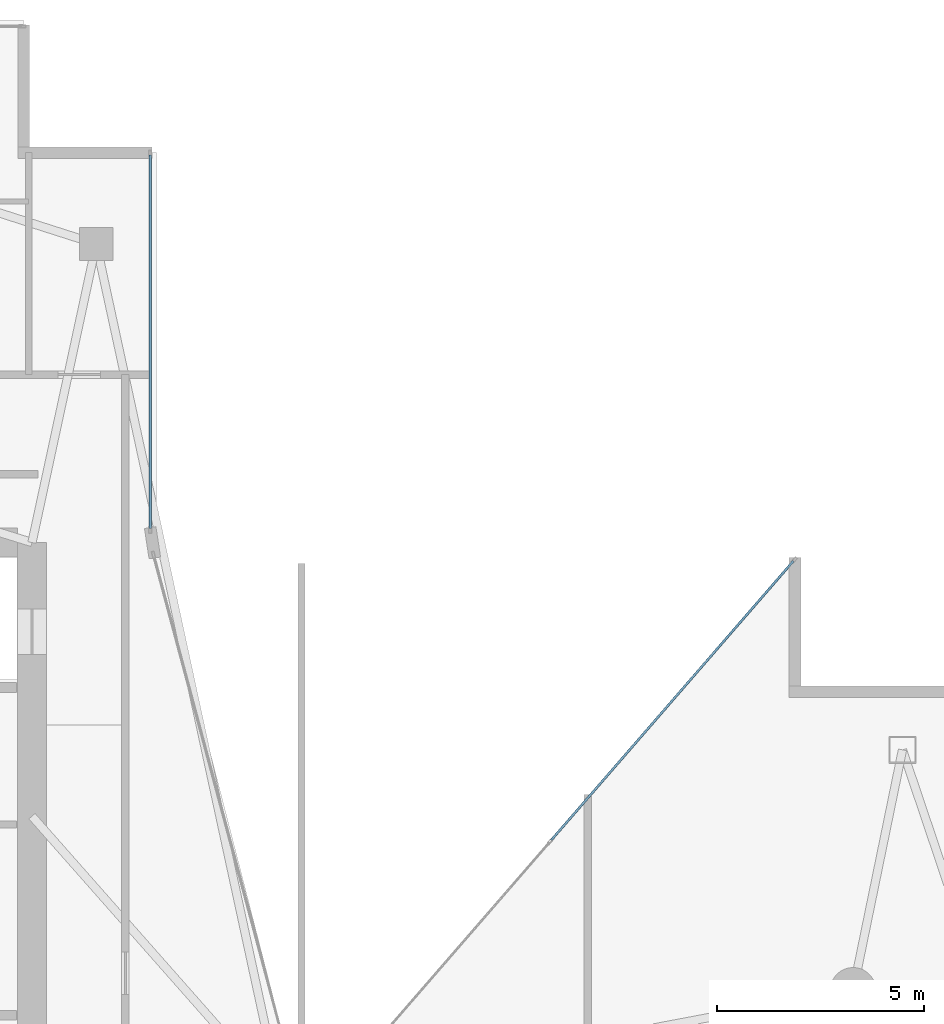
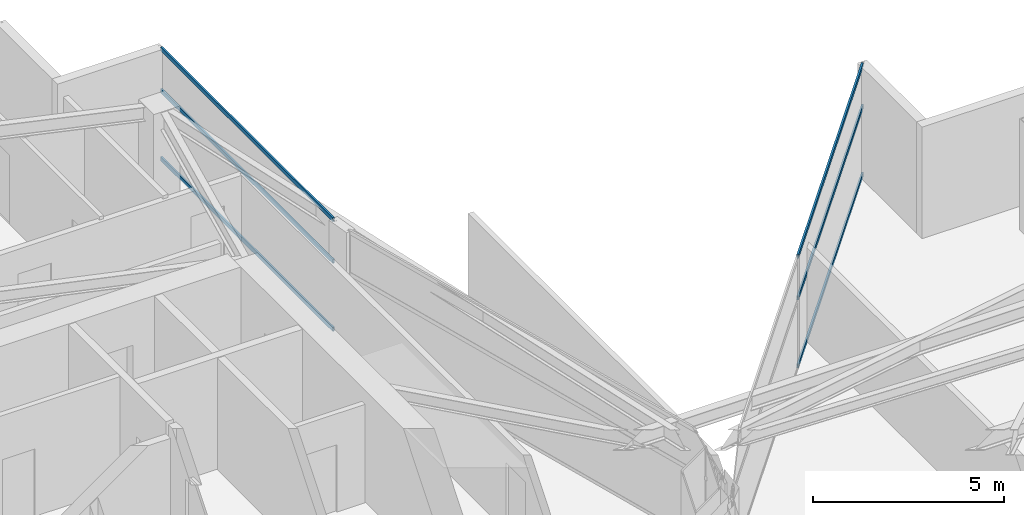
# One storey, part 20 of 29: 6 members, 2 elements without a shape of their own.
"""IFC4 building model written with IfcOpenShell, lengths in metres."""

from ifc_helpers import new_model, si_unit, direction, frame, origin, origin_2d, place, context, subcontext, project, spatial, hollow_rectangle, extrude, material, layer, layer_set, material_profile, profile_set, type_object, element, aggregate, save


model = new_model("IFC4")

# Units and contexts
model_context = context("Model", 3, precision=1e-05, world=origin(), true_north=direction((0.0, 1.0)))
body_context = subcontext(model_context, "Body", "Model", "MODEL_VIEW")
ifc_project = project(units=[si_unit("LENGTHUNIT", "METRE"), si_unit("AREAUNIT", "SQUARE_METRE"), si_unit("VOLUMEUNIT", "CUBIC_METRE"), si_unit("PLANEANGLEUNIT", "RADIAN"), si_unit("MASSUNIT", "GRAM", prefix="KILO")], contexts=[model_context])

# Site, building, storey
site_placement = place(None, origin())
site = spatial("IfcSite", under=ifc_project, at=site_placement, CompositionType="ELEMENT")
building_placement = place(site_placement, origin())
building = spatial("IfcBuilding", under=site, at=building_placement, Name="Calvorn Quay Hotel", CompositionType="ELEMENT")
storey_placement = place(building_placement, frame((0.0, 0.0, 251.39990234375)))
storey = spatial("IfcBuildingStorey", under=building, at=storey_placement, Name="L62", CompositionType="ELEMENT", Elevation=251.39990234375)

# Curtain wall, members
ifc_material_1 = material(Name="Champagne Bronze Anodised Aluminium and Low-E Glass", Category="aluminium")
ifc_layer = layer(ifc_material_1, 0.219970703125)
ifc_layer_set = layer_set([ifc_layer], Name="CW-SYS-Z4")
curtain_wall_type = type_object("IfcCurtainWallType", Name="CW-SYS-Z4", PredefinedType="NOTDEFINED", material=ifc_layer_set)
curtain_wall_1_placement = place(storey_placement, origin())
curtain_wall_1 = element("IfcCurtainWall", 1, at=curtain_wall_1_placement, inside=storey, type_object=curtain_wall_type, Name="Inner Court Curtain Wall L62-NE1", PredefinedType="NOTDEFINED")
ifc_material_2 = material(Name="Champagne Bronze Anodised Aluminium 6063-T6", Category="aluminium")
ifc_material_profile = material_profile(ifc_material_2, hollow_rectangle(XDim=0.054931640625, YDim=0.1298828125, WallThickness=0.003173828125, at=origin_2d()), Name="ALU-T130x55x3.2")
ifc_profile_set = profile_set([ifc_material_profile], Name="Champagne Bronze Anodised Aluminium 6063-T6")
member_type = type_object("IfcMemberType", Name="CW-SYS-Z4-TRN", PredefinedType="USERDEFINED", material=ifc_profile_set)
member_1_placement = place(storey_placement, frame((33.360595703125, 37.95458984375, 0.030029296875), z_axis=(-0.65534550322, -0.755329247024, 0.0), x_axis=(0.755329247024, -0.65534550322, 0.0)))
member_1 = element("IfcMember", 2, at=member_1_placement, type_object=member_type, Name="CW-L62-NE1 transom 1.1", ObjectType="TRANSOM", PredefinedType="USERDEFINED", context=body_context, shape_type="SweptSolid", body=[
    extrude(hollow_rectangle(XDim=0.054931640625, YDim=0.1298828125, WallThickness=0.003173828125, at=origin_2d()), origin(), (0.0, 0.0, 1.0), 8.91259765625),
])
member_2_placement = place(storey_placement, frame((33.360595703125, 37.95458984375, 2.2001953125), z_axis=(-0.65534550322, -0.755329247024, 0.0), x_axis=(0.755329247024, -0.65534550322, 0.0)))
member_2 = element("IfcMember", 3, at=member_2_placement, type_object=member_type, Name="CW-L62-NE1 transom 1.2", ObjectType="TRANSOM", PredefinedType="USERDEFINED", context=body_context, shape_type="SweptSolid", body=[
    extrude(hollow_rectangle(XDim=0.054931640625, YDim=0.1298828125, WallThickness=0.003173828125, at=origin_2d()), origin(), (0.0, 0.0, 1.0), 8.91259765625),
])
member_3_placement = place(storey_placement, frame((33.360595703125, 37.95458984375, 3.530029296875), z_axis=(-0.65534550322, -0.755329247024, 0.0), x_axis=(0.755329247024, -0.65534550322, 0.0)))
member_3 = element("IfcMember", 4, at=member_3_placement, type_object=member_type, Name="CW-L62-NE1 transom 1.3", ObjectType="TRANSOM", PredefinedType="USERDEFINED", context=body_context, shape_type="SweptSolid", body=[
    extrude(hollow_rectangle(XDim=0.054931640625, YDim=0.1298828125, WallThickness=0.003173828125, at=origin_2d()), origin(), (0.0, 0.0, 1.0), 8.91259765625),
])
aggregate(curtain_wall_1, [member_1, member_2, member_3])

curtain_wall_2_placement = place(storey_placement, origin())
curtain_wall_2 = element("IfcCurtainWall", 5, at=curtain_wall_2_placement, inside=storey, type_object=curtain_wall_type, Name="Inner Court Curtain Wall L62-IC2", PredefinedType="NOTDEFINED")
member_4_placement = place(storey_placement, frame((17.85009765625, 38.739990234375, 0.030029296875), z_axis=(0.0, 1.0, 0.0), x_axis=(-1.0, 0.0, 0.0)))
member_4 = element("IfcMember", 6, at=member_4_placement, type_object=member_type, Name="CW-L62-IC2 transom 1.1", ObjectType="TRANSOM", PredefinedType="USERDEFINED", context=body_context, shape_type="SweptSolid", body=[
    extrude(hollow_rectangle(XDim=0.054931640625, YDim=0.1298828125, WallThickness=0.003173828125, at=origin_2d()), origin(), (0.0, 0.0, 1.0), 9.0),
])
member_5_placement = place(storey_placement, frame((17.85009765625, 38.739990234375, 2.2001953125), z_axis=(0.0, 1.0, 0.0), x_axis=(-1.0, 0.0, 0.0)))
member_5 = element("IfcMember", 7, at=member_5_placement, type_object=member_type, Name="CW-L62-IC2 transom 1.2", ObjectType="TRANSOM", PredefinedType="USERDEFINED", context=body_context, shape_type="SweptSolid", body=[
    extrude(hollow_rectangle(XDim=0.054931640625, YDim=0.1298828125, WallThickness=0.003173828125, at=origin_2d()), origin(), (0.0, 0.0, 1.0), 9.0),
])
member_6_placement = place(storey_placement, frame((17.85009765625, 38.739990234375, 3.530029296875), z_axis=(0.0, 1.0, 0.0), x_axis=(-1.0, 0.0, 0.0)))
member_6 = element("IfcMember", 8, at=member_6_placement, type_object=member_type, Name="CW-L62-IC2 transom 1.3", ObjectType="TRANSOM", PredefinedType="USERDEFINED", context=body_context, shape_type="SweptSolid", body=[
    extrude(hollow_rectangle(XDim=0.054931640625, YDim=0.1298828125, WallThickness=0.003173828125, at=origin_2d()), origin(), (0.0, 0.0, 1.0), 9.0),
])
aggregate(curtain_wall_2, [member_4, member_5, member_6])

save(model, "model.ifc")
